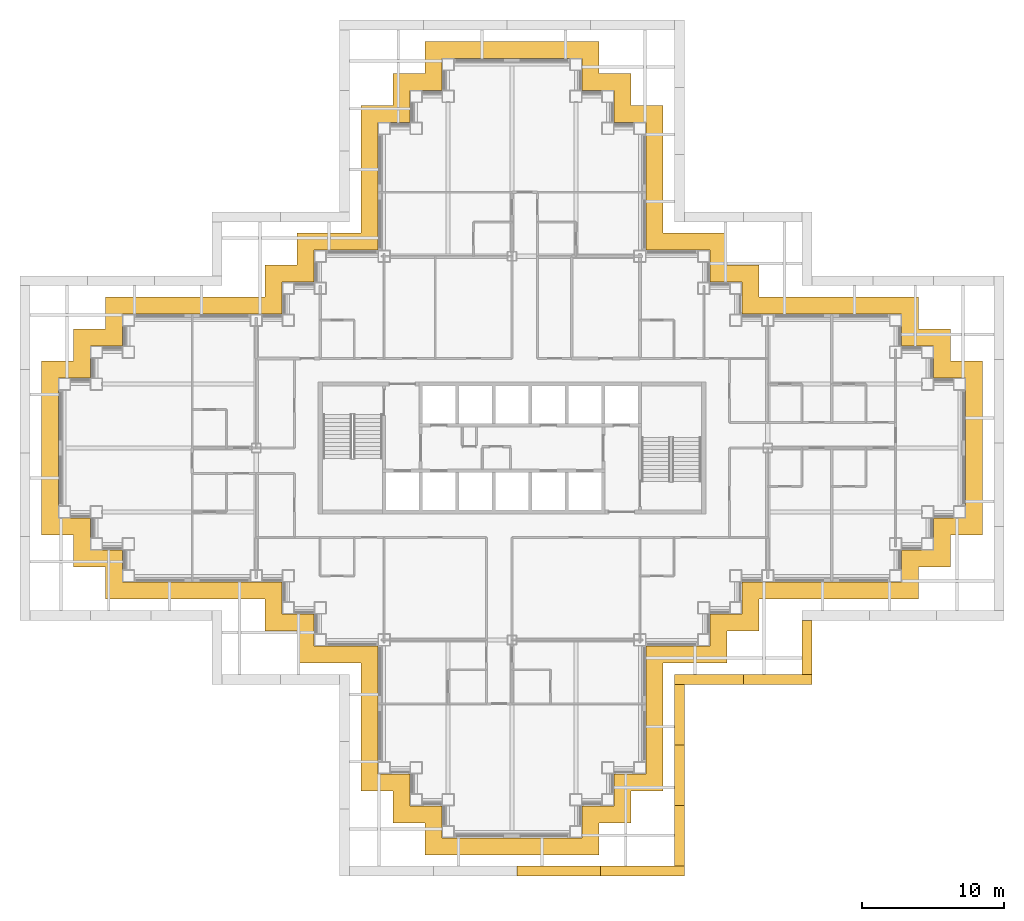
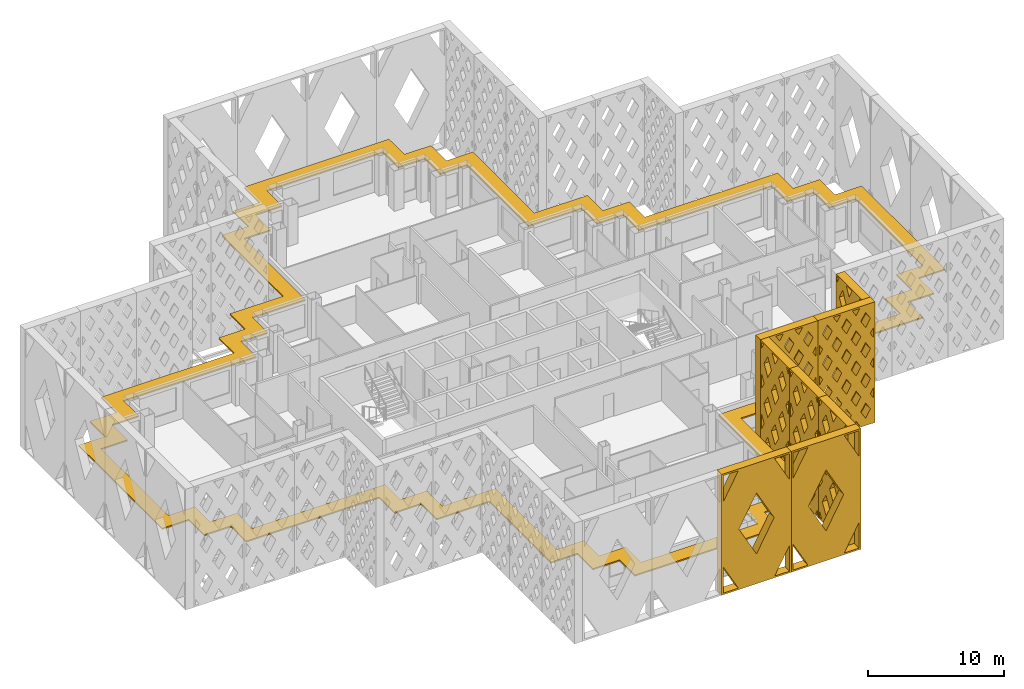
# One storey, part 17 of 21: 9 shading devices.
"""IFC4 building model written with IfcOpenShell, lengths in metres."""

from ifc_helpers import new_model, si_unit, direction, frame, origin, place, context, subcontext, project, spatial, polyline, outline, extrude, material, layer, layer_set, type_object, element, save


model = new_model("IFC4")

# Units and contexts
model_context = context("Model", 3, precision=1e-05, world=origin(), true_north=direction((0.0, 1.0)))
body_context = subcontext(model_context, "Body", "Model", "MODEL_VIEW")
ifc_project = project(units=[si_unit("LENGTHUNIT", "METRE"), si_unit("AREAUNIT", "SQUARE_METRE"), si_unit("VOLUMEUNIT", "CUBIC_METRE"), si_unit("PLANEANGLEUNIT", "RADIAN"), si_unit("MASSUNIT", "GRAM", prefix="KILO")], contexts=[model_context])

# Site, building, storey
site_placement = place(None, origin())
site = spatial("IfcSite", under=ifc_project, at=site_placement, CompositionType="ELEMENT")
building_placement = place(site_placement, origin())
building = spatial("IfcBuilding", under=site, at=building_placement, Name="Caravel Reach Hotel and Residences", CompositionType="ELEMENT")
storey_placement = place(building_placement, frame((0.0, 0.0, 129.60009765625)))
storey = spatial("IfcBuildingStorey", under=building, at=storey_placement, Name="L32", CompositionType="ELEMENT", Elevation=129.60009765625)

# Shading devices
ifc_material_1 = material(Name="Black powder-coated aluminium", Category="aluminium")
shading_device_type_1 = type_object("IfcShadingDeviceType", Name="Diamond lattice screen panel 3800 x 10800", PredefinedType="USERDEFINED", material=ifc_material_1)
shading_device_1_placement = place(storey_placement, frame((51.925048828125, 11.074951171875, 0.0), z_axis=(1.0, 0.0, 0.0), x_axis=(0.0, 1.0, 0.0)))
element("IfcShadingDevice", 1, at=shading_device_1_placement, inside=storey, type_object=shading_device_type_1, Name="Lattice screen L32-L34 5.1", ObjectType="SCREEN", PredefinedType="USERDEFINED", context=body_context, shape_type="SweptSolid", body=[
    extrude(outline(polyline([(0.0, 0.0), (3.800048828125, 0.0), (3.800048828125, 10.800048828125), (0.0, 10.800048828125), (0.0, 0.0)]), holes=[polyline([(0.41015625, 0.14990234375), (0.14990234375, 0.64306640625), (0.14990234375, 0.14990234375), (0.41015625, 0.14990234375)]), polyline([(0.489501953125, 3.60009765625), (0.14990234375, 4.2431640625), (0.14990234375, 2.956787109375), (0.489501953125, 3.60009765625)]), polyline([(0.489501953125, 7.199951171875), (0.14990234375, 7.843017578125), (0.14990234375, 6.556884765625), (0.489501953125, 7.199951171875)]), polyline([(0.14990234375, 10.156982421875), (0.41015625, 10.64990234375), (0.14990234375, 10.64990234375), (0.14990234375, 10.156982421875)]), polyline([(0.949951171875, 2.727294921875), (0.460693359375, 1.800048828125), (0.949951171875, 0.872802734375), (1.439453125, 1.800048828125), (0.949951171875, 2.727294921875)]), polyline([(0.949951171875, 6.327392578125), (0.460693359375, 5.39990234375), (0.949951171875, 4.47265625), (1.439453125, 5.39990234375), (0.949951171875, 6.327392578125)]), polyline([(0.949951171875, 9.92724609375), (0.460693359375, 9.0), (0.949951171875, 8.07275390625), (1.439453125, 9.0), (0.949951171875, 9.92724609375)]), polyline([(1.89990234375, 0.92724609375), (1.48974609375, 0.14990234375), (2.310302734375, 0.14990234375), (1.89990234375, 0.92724609375)]), polyline([(1.89990234375, 4.52734375), (1.41064453125, 3.60009765625), (1.89990234375, 2.672607421875), (2.389404296875, 3.60009765625), (1.89990234375, 4.52734375)]), polyline([(1.89990234375, 8.127197265625), (1.41064453125, 7.199951171875), (1.89990234375, 6.272705078125), (2.389404296875, 7.199951171875), (1.89990234375, 8.127197265625)]), polyline([(1.89990234375, 9.872802734375), (2.310302734375, 10.64990234375), (1.48974609375, 10.64990234375), (1.89990234375, 9.872802734375)]), polyline([(2.85009765625, 2.727294921875), (2.360595703125, 1.800048828125), (2.85009765625, 0.872802734375), (3.33935546875, 1.800048828125), (2.85009765625, 2.727294921875)]), polyline([(2.85009765625, 6.327392578125), (2.360595703125, 5.39990234375), (2.85009765625, 4.47265625), (3.33935546875, 5.39990234375), (2.85009765625, 6.327392578125)]), polyline([(2.85009765625, 9.92724609375), (2.360595703125, 9.0), (2.85009765625, 8.07275390625), (3.33935546875, 9.0), (2.85009765625, 9.92724609375)]), polyline([(3.64990234375, 0.64306640625), (3.3896484375, 0.14990234375), (3.64990234375, 0.14990234375), (3.64990234375, 0.64306640625)]), polyline([(3.310546875, 3.60009765625), (3.64990234375, 2.956787109375), (3.64990234375, 4.2431640625), (3.310546875, 3.60009765625)]), polyline([(3.310546875, 7.199951171875), (3.64990234375, 6.556884765625), (3.64990234375, 7.843017578125), (3.310546875, 7.199951171875)]), polyline([(3.3896484375, 10.64990234375), (3.64990234375, 10.156982421875), (3.64990234375, 10.64990234375), (3.3896484375, 10.64990234375)])]), origin(), (0.0, 0.0, 1.0), 0.699951171875),
])
ifc_material_2 = material(Name="Black powder-coated aluminium", Category="aluminium")
shading_device_type_2 = type_object("IfcShadingDeviceType", Name="Diamond lattice screen panel 4267 x 10800", PredefinedType="USERDEFINED", material=ifc_material_2)
shading_device_2_placement = place(storey_placement, frame((42.925048828125, -2.425048828125, 0.0), z_axis=(1.0, 0.0, 0.0), x_axis=(0.0, 1.0, 0.0)))
element("IfcShadingDevice", 2, at=shading_device_2_placement, inside=storey, type_object=shading_device_type_2, Name="Lattice screen L32-L34 3.1", ObjectType="SCREEN", PredefinedType="USERDEFINED", context=body_context, shape_type="SweptSolid", body=[
    extrude(outline(polyline([(0.0, 0.0), (4.2666015625, 0.0), (4.2666015625, 10.800048828125), (0.0, 10.800048828125), (0.0, 0.0)]), holes=[polyline([(0.457275390625, 0.14990234375), (0.14990234375, 0.66845703125), (0.14990234375, 0.14990234375), (0.457275390625, 0.14990234375)]), polyline([(0.546142578125, 3.60009765625), (0.14990234375, 4.2685546875), (0.14990234375, 2.931396484375), (0.546142578125, 3.60009765625)]), polyline([(0.546142578125, 7.199951171875), (0.14990234375, 7.868408203125), (0.14990234375, 6.531494140625), (0.546142578125, 7.199951171875)]), polyline([(0.14990234375, 10.131591796875), (0.457275390625, 10.64990234375), (0.14990234375, 10.64990234375), (0.14990234375, 10.131591796875)]), polyline([(1.066650390625, 2.7216796875), (0.5205078125, 1.800048828125), (1.066650390625, 0.87841796875), (1.61279296875, 1.800048828125), (1.066650390625, 2.7216796875)]), polyline([(1.066650390625, 6.321533203125), (0.5205078125, 5.39990234375), (1.066650390625, 4.478271484375), (1.61279296875, 5.39990234375), (1.066650390625, 6.321533203125)]), polyline([(1.066650390625, 9.921630859375), (0.5205078125, 9.0), (1.066650390625, 8.078369140625), (1.61279296875, 9.0), (1.066650390625, 9.921630859375)]), polyline([(2.13330078125, 0.921630859375), (1.676025390625, 0.14990234375), (2.590576171875, 0.14990234375), (2.13330078125, 0.921630859375)]), polyline([(2.13330078125, 4.521728515625), (1.587158203125, 3.60009765625), (2.13330078125, 2.678466796875), (2.679443359375, 3.60009765625), (2.13330078125, 4.521728515625)]), polyline([(2.13330078125, 8.12158203125), (1.587158203125, 7.199951171875), (2.13330078125, 6.2783203125), (2.679443359375, 7.199951171875), (2.13330078125, 8.12158203125)]), polyline([(2.13330078125, 9.87841796875), (2.590576171875, 10.64990234375), (1.676025390625, 10.64990234375), (2.13330078125, 9.87841796875)]), polyline([(3.199951171875, 2.7216796875), (2.65380859375, 1.800048828125), (3.199951171875, 0.87841796875), (3.74609375, 1.800048828125), (3.199951171875, 2.7216796875)]), polyline([(3.199951171875, 6.321533203125), (2.65380859375, 5.39990234375), (3.199951171875, 4.478271484375), (3.74609375, 5.39990234375), (3.199951171875, 6.321533203125)]), polyline([(3.199951171875, 9.921630859375), (2.65380859375, 9.0), (3.199951171875, 8.078369140625), (3.74609375, 9.0), (3.199951171875, 9.921630859375)]), polyline([(4.11669921875, 0.66845703125), (3.809326171875, 0.14990234375), (4.11669921875, 0.14990234375), (4.11669921875, 0.66845703125)]), polyline([(3.720458984375, 3.60009765625), (4.11669921875, 2.931396484375), (4.11669921875, 4.2685546875), (3.720458984375, 3.60009765625)]), polyline([(3.720458984375, 7.199951171875), (4.11669921875, 6.531494140625), (4.11669921875, 7.868408203125), (3.720458984375, 7.199951171875)]), polyline([(3.809326171875, 10.64990234375), (4.11669921875, 10.131591796875), (4.11669921875, 10.64990234375), (3.809326171875, 10.64990234375)])]), origin(), (0.0, 0.0, 1.0), 0.699951171875),
])
shading_device_3_placement = place(storey_placement, frame((42.925048828125, 1.841552734375, 0.0), z_axis=(1.0, 0.0, 0.0), x_axis=(0.0, 1.0, 0.0)))
element("IfcShadingDevice", 3, at=shading_device_3_placement, inside=storey, type_object=shading_device_type_2, Name="Lattice screen L32-L34 3.2", ObjectType="SCREEN", PredefinedType="USERDEFINED", context=body_context, shape_type="SweptSolid", body=[
    extrude(outline(polyline([(0.0, 0.0), (4.2666015625, 0.0), (4.2666015625, 10.800048828125), (0.0, 10.800048828125), (0.0, 0.0)]), holes=[polyline([(0.457275390625, 0.14990234375), (0.14990234375, 0.66845703125), (0.14990234375, 0.14990234375), (0.457275390625, 0.14990234375)]), polyline([(0.546142578125, 3.60009765625), (0.14990234375, 4.2685546875), (0.14990234375, 2.931396484375), (0.546142578125, 3.60009765625)]), polyline([(0.546142578125, 7.199951171875), (0.14990234375, 7.868408203125), (0.14990234375, 6.531494140625), (0.546142578125, 7.199951171875)]), polyline([(0.14990234375, 10.131591796875), (0.457275390625, 10.64990234375), (0.14990234375, 10.64990234375), (0.14990234375, 10.131591796875)]), polyline([(1.066650390625, 2.7216796875), (0.5205078125, 1.800048828125), (1.066650390625, 0.87841796875), (1.61279296875, 1.800048828125), (1.066650390625, 2.7216796875)]), polyline([(1.066650390625, 6.321533203125), (0.5205078125, 5.39990234375), (1.066650390625, 4.478271484375), (1.61279296875, 5.39990234375), (1.066650390625, 6.321533203125)]), polyline([(1.066650390625, 9.921630859375), (0.5205078125, 9.0), (1.066650390625, 8.078369140625), (1.61279296875, 9.0), (1.066650390625, 9.921630859375)]), polyline([(2.13330078125, 0.921630859375), (1.676025390625, 0.14990234375), (2.590576171875, 0.14990234375), (2.13330078125, 0.921630859375)]), polyline([(2.13330078125, 4.521728515625), (1.587158203125, 3.60009765625), (2.13330078125, 2.678466796875), (2.679443359375, 3.60009765625), (2.13330078125, 4.521728515625)]), polyline([(2.13330078125, 8.12158203125), (1.587158203125, 7.199951171875), (2.13330078125, 6.2783203125), (2.679443359375, 7.199951171875), (2.13330078125, 8.12158203125)]), polyline([(2.13330078125, 9.87841796875), (2.590576171875, 10.64990234375), (1.676025390625, 10.64990234375), (2.13330078125, 9.87841796875)]), polyline([(3.199951171875, 2.7216796875), (2.65380859375, 1.800048828125), (3.199951171875, 0.87841796875), (3.74609375, 1.800048828125), (3.199951171875, 2.7216796875)]), polyline([(3.199951171875, 6.321533203125), (2.65380859375, 5.39990234375), (3.199951171875, 4.478271484375), (3.74609375, 5.39990234375), (3.199951171875, 6.321533203125)]), polyline([(3.199951171875, 9.921630859375), (2.65380859375, 9.0), (3.199951171875, 8.078369140625), (3.74609375, 9.0), (3.199951171875, 9.921630859375)]), polyline([(4.11669921875, 0.66845703125), (3.809326171875, 0.14990234375), (4.11669921875, 0.14990234375), (4.11669921875, 0.66845703125)]), polyline([(3.720458984375, 3.60009765625), (4.11669921875, 2.931396484375), (4.11669921875, 4.2685546875), (3.720458984375, 3.60009765625)]), polyline([(3.720458984375, 7.199951171875), (4.11669921875, 6.531494140625), (4.11669921875, 7.868408203125), (3.720458984375, 7.199951171875)]), polyline([(3.809326171875, 10.64990234375), (4.11669921875, 10.131591796875), (4.11669921875, 10.64990234375), (3.809326171875, 10.64990234375)])]), origin(), (0.0, 0.0, 1.0), 0.699951171875),
])
shading_device_4_placement = place(storey_placement, frame((42.925048828125, 6.1083984375, 0.0), z_axis=(1.0, 0.0, 0.0), x_axis=(0.0, 1.0, 0.0)))
element("IfcShadingDevice", 4, at=shading_device_4_placement, inside=storey, type_object=shading_device_type_2, Name="Lattice screen L32-L34 3.3", ObjectType="SCREEN", PredefinedType="USERDEFINED", context=body_context, shape_type="SweptSolid", body=[
    extrude(outline(polyline([(0.0, 0.0), (4.2666015625, 0.0), (4.2666015625, 10.800048828125), (0.0, 10.800048828125), (0.0, 0.0)]), holes=[polyline([(0.457275390625, 0.14990234375), (0.14990234375, 0.66845703125), (0.14990234375, 0.14990234375), (0.457275390625, 0.14990234375)]), polyline([(0.546142578125, 3.60009765625), (0.14990234375, 4.2685546875), (0.14990234375, 2.931396484375), (0.546142578125, 3.60009765625)]), polyline([(0.546142578125, 7.199951171875), (0.14990234375, 7.868408203125), (0.14990234375, 6.531494140625), (0.546142578125, 7.199951171875)]), polyline([(0.14990234375, 10.131591796875), (0.457275390625, 10.64990234375), (0.14990234375, 10.64990234375), (0.14990234375, 10.131591796875)]), polyline([(1.066650390625, 2.7216796875), (0.5205078125, 1.800048828125), (1.066650390625, 0.87841796875), (1.61279296875, 1.800048828125), (1.066650390625, 2.7216796875)]), polyline([(1.066650390625, 6.321533203125), (0.5205078125, 5.39990234375), (1.066650390625, 4.478271484375), (1.61279296875, 5.39990234375), (1.066650390625, 6.321533203125)]), polyline([(1.066650390625, 9.921630859375), (0.5205078125, 9.0), (1.066650390625, 8.078369140625), (1.61279296875, 9.0), (1.066650390625, 9.921630859375)]), polyline([(2.13330078125, 0.921630859375), (1.676025390625, 0.14990234375), (2.590576171875, 0.14990234375), (2.13330078125, 0.921630859375)]), polyline([(2.13330078125, 4.521728515625), (1.587158203125, 3.60009765625), (2.13330078125, 2.678466796875), (2.679443359375, 3.60009765625), (2.13330078125, 4.521728515625)]), polyline([(2.13330078125, 8.12158203125), (1.587158203125, 7.199951171875), (2.13330078125, 6.2783203125), (2.679443359375, 7.199951171875), (2.13330078125, 8.12158203125)]), polyline([(2.13330078125, 9.87841796875), (2.590576171875, 10.64990234375), (1.676025390625, 10.64990234375), (2.13330078125, 9.87841796875)]), polyline([(3.199951171875, 2.7216796875), (2.65380859375, 1.800048828125), (3.199951171875, 0.87841796875), (3.74609375, 1.800048828125), (3.199951171875, 2.7216796875)]), polyline([(3.199951171875, 6.321533203125), (2.65380859375, 5.39990234375), (3.199951171875, 4.478271484375), (3.74609375, 5.39990234375), (3.199951171875, 6.321533203125)]), polyline([(3.199951171875, 9.921630859375), (2.65380859375, 9.0), (3.199951171875, 8.078369140625), (3.74609375, 9.0), (3.199951171875, 9.921630859375)]), polyline([(4.11669921875, 0.66845703125), (3.809326171875, 0.14990234375), (4.11669921875, 0.14990234375), (4.11669921875, 0.66845703125)]), polyline([(3.720458984375, 3.60009765625), (4.11669921875, 2.931396484375), (4.11669921875, 4.2685546875), (3.720458984375, 3.60009765625)]), polyline([(3.720458984375, 7.199951171875), (4.11669921875, 6.531494140625), (4.11669921875, 7.868408203125), (3.720458984375, 7.199951171875)]), polyline([(3.809326171875, 10.64990234375), (4.11669921875, 10.131591796875), (4.11669921875, 10.64990234375), (3.809326171875, 10.64990234375)])]), origin(), (0.0, 0.0, 1.0), 0.699951171875),
])
ifc_material_3 = material(Name="Black powder-coated aluminium", Category="aluminium")
shading_device_type_3 = type_object("IfcShadingDeviceType", Name="Diamond lattice screen panel 4850 x 10800", PredefinedType="USERDEFINED", material=ifc_material_3)
shading_device_5_placement = place(storey_placement, frame((42.925048828125, 11.074951171875, 0.0), z_axis=(0.0, -1.0, 0.0), x_axis=(1.0, 0.0, 0.0)))
element("IfcShadingDevice", 5, at=shading_device_5_placement, inside=storey, type_object=shading_device_type_3, Name="Lattice screen L32-L34 4.1", ObjectType="SCREEN", PredefinedType="USERDEFINED", context=body_context, shape_type="SweptSolid", body=[
    extrude(outline(polyline([(0.0, 0.0), (4.85009765625, 0.0), (4.85009765625, 10.800048828125), (0.0, 10.800048828125), (0.0, 0.0)]), holes=[polyline([(0.410888671875, 2.699951171875), (0.14990234375, 3.1357421875), (0.14990234375, 2.26416015625), (0.410888671875, 2.699951171875)]), polyline([(0.410888671875, 5.39990234375), (0.14990234375, 5.835693359375), (0.14990234375, 4.964111328125), (0.410888671875, 5.39990234375)]), polyline([(0.410888671875, 8.10009765625), (0.14990234375, 8.535888671875), (0.14990234375, 7.664306640625), (0.410888671875, 8.10009765625)]), polyline([(0.808349609375, 2.036376953125), (0.3974609375, 1.35009765625), (0.808349609375, 0.663818359375), (1.21923828125, 1.35009765625), (0.808349609375, 2.036376953125)]), polyline([(0.808349609375, 4.736328125), (0.3974609375, 4.050048828125), (0.808349609375, 3.36376953125), (1.21923828125, 4.050048828125), (0.808349609375, 4.736328125)]), polyline([(0.808349609375, 7.436279296875), (0.3974609375, 6.75), (0.808349609375, 6.063720703125), (1.21923828125, 6.75), (0.808349609375, 7.436279296875)]), polyline([(0.808349609375, 10.13623046875), (0.3974609375, 9.449951171875), (0.808349609375, 8.763671875), (1.21923828125, 9.449951171875), (0.808349609375, 10.13623046875)]), polyline([(1.61669921875, 0.686279296875), (1.295654296875, 0.14990234375), (1.937744140625, 0.14990234375), (1.61669921875, 0.686279296875)]), polyline([(1.61669921875, 3.38623046875), (1.205810546875, 2.699951171875), (1.61669921875, 2.013671875), (2.027587890625, 2.699951171875), (1.61669921875, 3.38623046875)]), polyline([(1.61669921875, 6.086181640625), (1.205810546875, 5.39990234375), (1.61669921875, 4.713623046875), (2.027587890625, 5.39990234375), (1.61669921875, 6.086181640625)]), polyline([(1.61669921875, 8.786376953125), (1.205810546875, 8.10009765625), (1.61669921875, 7.413818359375), (2.027587890625, 8.10009765625), (1.61669921875, 8.786376953125)]), polyline([(1.61669921875, 10.11376953125), (1.937744140625, 10.64990234375), (1.295654296875, 10.64990234375), (1.61669921875, 10.11376953125)]), polyline([(2.425048828125, 2.036376953125), (2.01416015625, 1.35009765625), (2.425048828125, 0.663818359375), (2.8359375, 1.35009765625), (2.425048828125, 2.036376953125)]), polyline([(2.425048828125, 4.736328125), (2.01416015625, 4.050048828125), (2.425048828125, 3.36376953125), (2.8359375, 4.050048828125), (2.425048828125, 4.736328125)]), polyline([(2.425048828125, 7.436279296875), (2.01416015625, 6.75), (2.425048828125, 6.063720703125), (2.8359375, 6.75), (2.425048828125, 7.436279296875)]), polyline([(2.425048828125, 10.13623046875), (2.01416015625, 9.449951171875), (2.425048828125, 8.763671875), (2.8359375, 9.449951171875), (2.425048828125, 10.13623046875)]), polyline([(3.2333984375, 0.686279296875), (2.912109375, 0.14990234375), (3.554443359375, 0.14990234375), (3.2333984375, 0.686279296875)]), polyline([(3.2333984375, 3.38623046875), (2.822509765625, 2.699951171875), (3.2333984375, 2.013671875), (3.644287109375, 2.699951171875), (3.2333984375, 3.38623046875)]), polyline([(3.2333984375, 6.086181640625), (2.822509765625, 5.39990234375), (3.2333984375, 4.713623046875), (3.644287109375, 5.39990234375), (3.2333984375, 6.086181640625)]), polyline([(3.2333984375, 8.786376953125), (2.822509765625, 8.10009765625), (3.2333984375, 7.413818359375), (3.644287109375, 8.10009765625), (3.2333984375, 8.786376953125)]), polyline([(3.2333984375, 10.11376953125), (3.554443359375, 10.64990234375), (2.912109375, 10.64990234375), (3.2333984375, 10.11376953125)]), polyline([(4.041748046875, 2.036376953125), (3.630859375, 1.35009765625), (4.041748046875, 0.663818359375), (4.45263671875, 1.35009765625), (4.041748046875, 2.036376953125)]), polyline([(4.041748046875, 4.736328125), (3.630859375, 4.050048828125), (4.041748046875, 3.36376953125), (4.45263671875, 4.050048828125), (4.041748046875, 4.736328125)]), polyline([(4.041748046875, 7.436279296875), (3.630859375, 6.75), (4.041748046875, 6.063720703125), (4.45263671875, 6.75), (4.041748046875, 7.436279296875)]), polyline([(4.041748046875, 10.13623046875), (3.630859375, 9.449951171875), (4.041748046875, 8.763671875), (4.45263671875, 9.449951171875), (4.041748046875, 10.13623046875)]), polyline([(4.43896484375, 2.699951171875), (4.699951171875, 2.26416015625), (4.699951171875, 3.1357421875), (4.43896484375, 2.699951171875)]), polyline([(4.43896484375, 5.39990234375), (4.699951171875, 4.964111328125), (4.699951171875, 5.835693359375), (4.43896484375, 5.39990234375)]), polyline([(4.43896484375, 8.10009765625), (4.699951171875, 7.664306640625), (4.699951171875, 8.535888671875), (4.43896484375, 8.10009765625)])]), origin(), (0.0, 0.0, 1.0), 0.699951171875),
])
shading_device_6_placement = place(storey_placement, frame((47.77490234375, 11.074951171875, 0.0), z_axis=(0.0, -1.0, 0.0), x_axis=(1.0, 0.0, 0.0)))
element("IfcShadingDevice", 6, at=shading_device_6_placement, inside=storey, type_object=shading_device_type_3, Name="Lattice screen L32-L34 4.2", ObjectType="SCREEN", PredefinedType="USERDEFINED", context=body_context, shape_type="SweptSolid", body=[
    extrude(outline(polyline([(0.0, 0.0), (4.85009765625, 0.0), (4.85009765625, 10.800048828125), (0.0, 10.800048828125), (0.0, 0.0)]), holes=[polyline([(0.410888671875, 2.699951171875), (0.14990234375, 3.1357421875), (0.14990234375, 2.26416015625), (0.410888671875, 2.699951171875)]), polyline([(0.410888671875, 5.39990234375), (0.14990234375, 5.835693359375), (0.14990234375, 4.964111328125), (0.410888671875, 5.39990234375)]), polyline([(0.410888671875, 8.10009765625), (0.14990234375, 8.535888671875), (0.14990234375, 7.664306640625), (0.410888671875, 8.10009765625)]), polyline([(0.808349609375, 2.036376953125), (0.3974609375, 1.35009765625), (0.808349609375, 0.663818359375), (1.21923828125, 1.35009765625), (0.808349609375, 2.036376953125)]), polyline([(0.808349609375, 4.736328125), (0.3974609375, 4.050048828125), (0.808349609375, 3.36376953125), (1.21923828125, 4.050048828125), (0.808349609375, 4.736328125)]), polyline([(0.808349609375, 7.436279296875), (0.3974609375, 6.75), (0.808349609375, 6.063720703125), (1.21923828125, 6.75), (0.808349609375, 7.436279296875)]), polyline([(0.808349609375, 10.13623046875), (0.3974609375, 9.449951171875), (0.808349609375, 8.763671875), (1.21923828125, 9.449951171875), (0.808349609375, 10.13623046875)]), polyline([(1.61669921875, 0.686279296875), (1.295654296875, 0.14990234375), (1.937744140625, 0.14990234375), (1.61669921875, 0.686279296875)]), polyline([(1.61669921875, 3.38623046875), (1.205810546875, 2.699951171875), (1.61669921875, 2.013671875), (2.027587890625, 2.699951171875), (1.61669921875, 3.38623046875)]), polyline([(1.61669921875, 6.086181640625), (1.205810546875, 5.39990234375), (1.61669921875, 4.713623046875), (2.027587890625, 5.39990234375), (1.61669921875, 6.086181640625)]), polyline([(1.61669921875, 8.786376953125), (1.205810546875, 8.10009765625), (1.61669921875, 7.413818359375), (2.027587890625, 8.10009765625), (1.61669921875, 8.786376953125)]), polyline([(1.61669921875, 10.11376953125), (1.937744140625, 10.64990234375), (1.295654296875, 10.64990234375), (1.61669921875, 10.11376953125)]), polyline([(2.425048828125, 2.036376953125), (2.01416015625, 1.35009765625), (2.425048828125, 0.663818359375), (2.8359375, 1.35009765625), (2.425048828125, 2.036376953125)]), polyline([(2.425048828125, 4.736328125), (2.01416015625, 4.050048828125), (2.425048828125, 3.36376953125), (2.8359375, 4.050048828125), (2.425048828125, 4.736328125)]), polyline([(2.425048828125, 7.436279296875), (2.01416015625, 6.75), (2.425048828125, 6.063720703125), (2.8359375, 6.75), (2.425048828125, 7.436279296875)]), polyline([(2.425048828125, 10.13623046875), (2.01416015625, 9.449951171875), (2.425048828125, 8.763671875), (2.8359375, 9.449951171875), (2.425048828125, 10.13623046875)]), polyline([(3.2333984375, 0.686279296875), (2.912109375, 0.14990234375), (3.554443359375, 0.14990234375), (3.2333984375, 0.686279296875)]), polyline([(3.2333984375, 3.38623046875), (2.822509765625, 2.699951171875), (3.2333984375, 2.013671875), (3.644287109375, 2.699951171875), (3.2333984375, 3.38623046875)]), polyline([(3.2333984375, 6.086181640625), (2.822509765625, 5.39990234375), (3.2333984375, 4.713623046875), (3.644287109375, 5.39990234375), (3.2333984375, 6.086181640625)]), polyline([(3.2333984375, 8.786376953125), (2.822509765625, 8.10009765625), (3.2333984375, 7.413818359375), (3.644287109375, 8.10009765625), (3.2333984375, 8.786376953125)]), polyline([(3.2333984375, 10.11376953125), (3.554443359375, 10.64990234375), (2.912109375, 10.64990234375), (3.2333984375, 10.11376953125)]), polyline([(4.041748046875, 2.036376953125), (3.630859375, 1.35009765625), (4.041748046875, 0.663818359375), (4.45263671875, 1.35009765625), (4.041748046875, 2.036376953125)]), polyline([(4.041748046875, 4.736328125), (3.630859375, 4.050048828125), (4.041748046875, 3.36376953125), (4.45263671875, 4.050048828125), (4.041748046875, 4.736328125)]), polyline([(4.041748046875, 7.436279296875), (3.630859375, 6.75), (4.041748046875, 6.063720703125), (4.45263671875, 6.75), (4.041748046875, 7.436279296875)]), polyline([(4.041748046875, 10.13623046875), (3.630859375, 9.449951171875), (4.041748046875, 8.763671875), (4.45263671875, 9.449951171875), (4.041748046875, 10.13623046875)]), polyline([(4.43896484375, 2.699951171875), (4.699951171875, 2.26416015625), (4.699951171875, 3.1357421875), (4.43896484375, 2.699951171875)]), polyline([(4.43896484375, 5.39990234375), (4.699951171875, 4.964111328125), (4.699951171875, 5.835693359375), (4.43896484375, 5.39990234375)]), polyline([(4.43896484375, 8.10009765625), (4.699951171875, 7.664306640625), (4.699951171875, 8.535888671875), (4.43896484375, 8.10009765625)])]), origin(), (0.0, 0.0, 1.0), 0.699951171875),
])
ifc_material_4 = material(Name="Black powder-coated aluminium", Category="aluminium")
shading_device_type_4 = type_object("IfcShadingDeviceType", Name="Diamond lattice screen panel 5887 x 10800", PredefinedType="USERDEFINED", material=ifc_material_4)
for number, where, z_axis, x_axis, name in (
    (7, (31.85009765625, -2.425048828125, 0.0), (0.0, -1.0, 0.0), (1.0, 0.0, 0.0), "Lattice screen L32-L34 2.3"),
    (8, (37.737548828125, -2.425048828125, 0.0), (0.0, -1.0, 0.0), (1.0, 0.0, 0.0), "Lattice screen L32-L34 2.4"),
):
    element("IfcShadingDevice", number, at=place(storey_placement, frame(where, z_axis=z_axis, x_axis=x_axis)), inside=storey, type_object=shading_device_type_4, Name=name, ObjectType="SCREEN", PredefinedType="USERDEFINED", context=body_context, shape_type="SweptSolid", body=[
        extrude(outline(polyline([(0.0, 0.0), (5.887451171875, 0.0), (5.887451171875, 10.800048828125), (0.0, 10.800048828125), (0.0, 0.0)]), holes=[polyline([(1.409912109375, 0.14990234375), (0.14990234375, 2.46142578125), (0.14990234375, 0.14990234375), (1.409912109375, 0.14990234375)]), polyline([(0.14990234375, 8.338623046875), (1.409912109375, 10.64990234375), (0.14990234375, 10.64990234375), (0.14990234375, 8.338623046875)]), polyline([(2.94384765625, 8.136474609375), (1.451904296875, 5.39990234375), (2.94384765625, 2.66357421875), (4.435546875, 5.39990234375), (2.94384765625, 8.136474609375)]), polyline([(5.737548828125, 2.46142578125), (4.4775390625, 0.14990234375), (5.737548828125, 0.14990234375), (5.737548828125, 2.46142578125)]), polyline([(4.4775390625, 10.64990234375), (5.737548828125, 8.338623046875), (5.737548828125, 10.64990234375), (4.4775390625, 10.64990234375)])]), origin(), (0.0, 0.0, 1.0), 0.699951171875),
    ])
ifc_material_5 = material(Name="Black powder-coated aluminium", Category="aluminium")
ifc_layer = layer(ifc_material_5, 0.1201171875)
ifc_layer_set = layer_set([ifc_layer], Name="SS1 Sunshade band 1200")
shading_device_type_5 = type_object("IfcShadingDeviceType", Name="SS1 Sunshade band 1200", PredefinedType="USERDEFINED", material=ifc_layer_set)
shading_device_7_placement = place(storey_placement, frame((0.0, 0.0, 3.039794921875)))
element("IfcShadingDevice", 9, at=shading_device_7_placement, inside=storey, type_object=shading_device_type_5, Name="Sunshade L32 1", ObjectType="SUNSHADE", PredefinedType="USERDEFINED", context=body_context, shape_type="SweptSolid", body=[
    extrude(outline(polyline([(20.875, 11.875), (20.875, 2.875), (23.125, 2.875), (23.125, 0.625), (25.375, 0.625), (25.375, -1.625), (37.625, -1.625), (37.625, 0.625), (39.875, 0.625), (39.875, 2.875), (42.125, 2.875), (42.125, 11.875), (46.625, 11.875), (46.625, 14.125), (48.875, 14.125), (48.875, 16.375), (60.125, 16.375), (60.125, 18.625), (62.375, 18.625), (62.375, 20.875), (64.625, 20.875), (64.625, 33.125), (62.375, 33.125), (62.375, 35.375), (60.125, 35.375), (60.125, 37.625), (48.875, 37.625), (48.875, 39.875), (46.625, 39.875), (46.625, 42.125), (42.125, 42.125), (42.125, 51.125), (39.875, 51.125), (39.875, 53.375), (37.625, 53.375), (37.625, 55.625), (25.375, 55.625), (25.375, 53.375), (23.125, 53.375), (23.125, 51.125), (20.875, 51.125), (20.875, 42.125), (16.375, 42.125), (16.375, 39.875), (14.125, 39.875), (14.125, 37.625), (2.875, 37.625), (2.875, 35.375), (0.625, 35.375), (0.625, 33.125), (-1.625, 33.125), (-1.625, 20.875), (0.625, 20.875), (0.625, 18.625), (2.875, 18.625), (2.875, 16.375), (14.125, 16.375), (14.125, 14.125), (16.375, 14.125), (16.375, 11.875), (20.875, 11.875)]), holes=[polyline([(24.324951171875, 4.074951171875), (22.074951171875, 4.074951171875), (22.074951171875, 13.074951171875), (17.574951171875, 13.074951171875), (17.574951171875, 15.324951171875), (15.324951171875, 15.324951171875), (15.324951171875, 17.574951171875), (4.074951171875, 17.574951171875), (4.074951171875, 19.824951171875), (1.824951171875, 19.824951171875), (1.824951171875, 22.074951171875), (-0.425048828125, 22.074951171875), (-0.425048828125, 31.925048828125), (1.824951171875, 31.925048828125), (1.824951171875, 34.175048828125), (4.074951171875, 34.175048828125), (4.074951171875, 36.425048828125), (15.324951171875, 36.425048828125), (15.324951171875, 38.675048828125), (17.574951171875, 38.675048828125), (17.574951171875, 40.925048828125), (22.074951171875, 40.925048828125), (22.074951171875, 49.925048828125), (24.324951171875, 49.925048828125), (24.324951171875, 52.175048828125), (26.574951171875, 52.175048828125), (26.574951171875, 54.425048828125), (36.425048828125, 54.425048828125), (36.425048828125, 52.175048828125), (38.675048828125, 52.175048828125), (38.675048828125, 49.925048828125), (40.925048828125, 49.925048828125), (40.925048828125, 40.925048828125), (45.425048828125, 40.925048828125), (45.425048828125, 38.675048828125), (47.675048828125, 38.675048828125), (47.675048828125, 36.425048828125), (58.925048828125, 36.425048828125), (58.925048828125, 34.175048828125), (61.175048828125, 34.175048828125), (61.175048828125, 31.925048828125), (63.425048828125, 31.925048828125), (63.425048828125, 22.074951171875), (61.175048828125, 22.074951171875), (61.175048828125, 19.824951171875), (58.925048828125, 19.824951171875), (58.925048828125, 17.574951171875), (47.675048828125, 17.574951171875), (47.675048828125, 15.324951171875), (45.425048828125, 15.324951171875), (45.425048828125, 13.074951171875), (40.925048828125, 13.074951171875), (40.925048828125, 4.074951171875), (38.675048828125, 4.074951171875), (38.675048828125, 1.824951171875), (36.425048828125, 1.824951171875), (36.425048828125, -0.425048828125), (26.574951171875, -0.425048828125), (26.574951171875, 1.824951171875), (24.324951171875, 1.824951171875), (24.324951171875, 4.074951171875)])]), origin(), (0.0, 0.0, 1.0), 0.1201171875),
])

save(model, "model.ifc")
